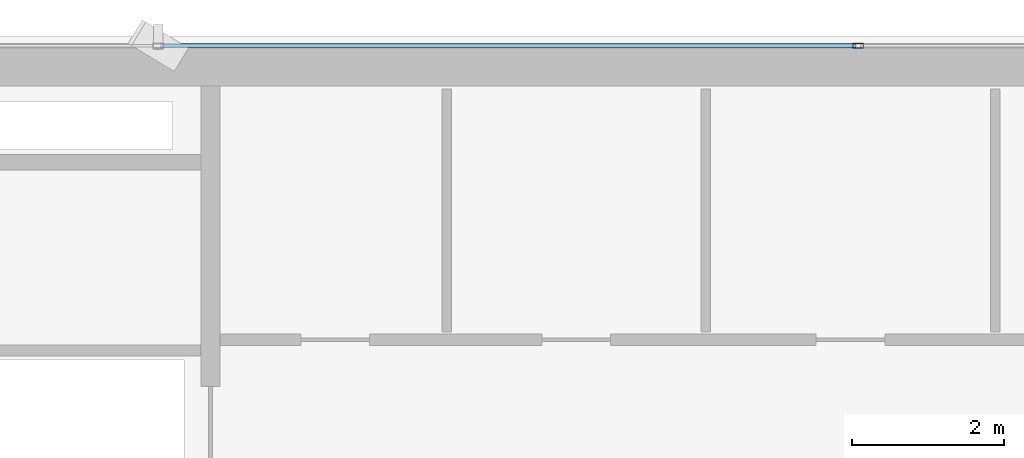
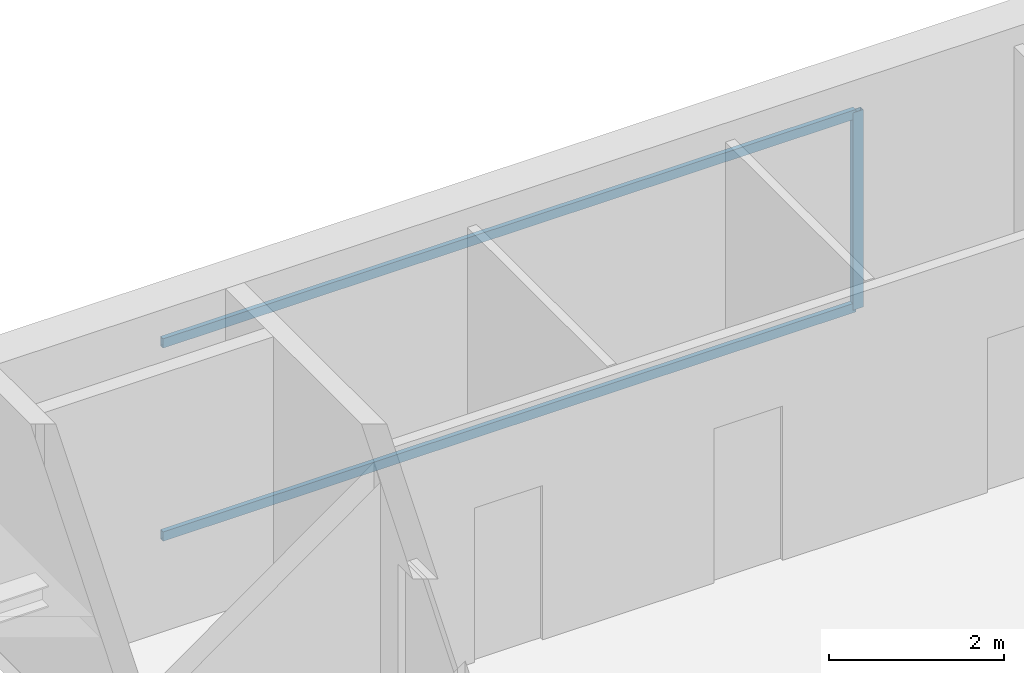
# One storey, part 16 of 26: 3 members, 1 element without a shape of its own.
"""IFC4 building model written with IfcOpenShell, lengths in metres."""

from ifc_helpers import new_model, si_unit, direction, frame, origin, origin_2d, place, context, subcontext, project, spatial, hollow_rectangle, extrude, source, transform, mapped, material, layer, layer_set, material_profile, profile_set, type_object, element, aggregate, save


model = new_model("IFC4")

# Units and contexts
model_context = context("Model", 3, precision=1e-05, world=origin(), true_north=direction((0.0, 1.0)))
body_context = subcontext(model_context, "Body", "Model", "MODEL_VIEW")
ifc_project = project(units=[si_unit("LENGTHUNIT", "METRE"), si_unit("AREAUNIT", "SQUARE_METRE"), si_unit("VOLUMEUNIT", "CUBIC_METRE"), si_unit("PLANEANGLEUNIT", "RADIAN"), si_unit("MASSUNIT", "GRAM", prefix="KILO")], contexts=[model_context])

# Site, building, storey
site_placement = place(None, origin())
site = spatial("IfcSite", under=ifc_project, at=site_placement, CompositionType="ELEMENT")
building_placement = place(site_placement, origin())
building = spatial("IfcBuilding", under=site, at=building_placement, Name="Sumidabori Civic Tower", CompositionType="ELEMENT")
storey_placement = place(building_placement, frame((0.0, 0.0, 236.0)))
storey = spatial("IfcBuildingStorey", under=building, at=storey_placement, Name="L61", CompositionType="ELEMENT", Elevation=236.0)

# Curtain wall, members
ifc_material = material(Name="Anodised Bronze Aluminium AW-6063-T6", Category="aluminium")
ifc_layer = layer(ifc_material, 0.179931640625, Name="Anodised Bronze Aluminium AW-6063-T6")
ifc_layer_set = layer_set([ifc_layer], Name="Anodised Bronze Aluminium AW-6063-T6")
curtain_wall_type = type_object("IfcCurtainWallType", Name="CW-SYS-5", PredefinedType="NOTDEFINED", material=ifc_layer_set)
curtain_wall_placement = place(storey_placement, origin())
curtain_wall = element("IfcCurtainWall", 1, at=curtain_wall_placement, inside=storey, type_object=curtain_wall_type, Name="Curtain Wall CW:L61:R07", PredefinedType="NOTDEFINED")
ifc_material_profile_1 = material_profile(ifc_material, hollow_rectangle(XDim=0.06005859375, YDim=0.1298828125, WallThickness=0.0048828125, at=origin_2d()), Name="ALU TRANSOM 130x60")
ifc_profile_set_1 = profile_set([ifc_material_profile_1], Name="Anodised Bronze Aluminium AW-6063-T6")
member_type_1 = type_object("IfcMemberType", Name="CW-TRN-130", PredefinedType="USERDEFINED", material=ifc_profile_set_1)
shared_shape_1 = source(origin(), body_context, "Body", "SweptSolid", [
    extrude(hollow_rectangle(XDim=0.06005859375, YDim=0.1298828125, WallThickness=0.0048828125, at=origin_2d()), origin(), (0.0, 0.0, 1.0), 9.125),
])
member_1_placement = place(storey_placement, frame((-0.030029296875, 24.080078125, 0.030029296875), z_axis=(-1.0, 0.0, 0.0), x_axis=(0.0, -1.0, 0.0)))
member_1 = element("IfcMember", 2, at=member_1_placement, type_object=member_type_1, Name="CW-5 transom 3.1", ObjectType="TRANSOM", PredefinedType="USERDEFINED", context=body_context, shape_type="MappedRepresentation", body=[
    mapped(shared_shape_1, transform((0.0, 0.0, 0.0), x_axis=(1.0, 0.0, 0.0), y_axis=(0.0, 1.0, 0.0), z_axis=(0.0, 0.0, 1.0), scale=1.0)),
])
member_2_placement = place(storey_placement, frame((-0.030029296875, 24.080078125, 2.719970703125), z_axis=(-1.0, 0.0, 0.0), x_axis=(0.0, -1.0, 0.0)))
member_2 = element("IfcMember", 3, at=member_2_placement, type_object=member_type_1, Name="CW-5 transom 3.2", ObjectType="TRANSOM", PredefinedType="USERDEFINED", context=body_context, shape_type="MappedRepresentation", body=[
    mapped(shared_shape_1, transform((0.0, 0.0, 0.0), x_axis=(1.0, 0.0, 0.0), y_axis=(0.0, 1.0, 0.0), z_axis=(0.0, 0.0, 1.0), scale=1.0)),
])
ifc_material_profile_2 = material_profile(ifc_material, hollow_rectangle(XDim=0.06005859375, YDim=0.139892578125, WallThickness=0.0048828125, at=origin_2d()), Name="ALU MULLION 140x60")
ifc_profile_set_2 = profile_set([ifc_material_profile_2], Name="Anodised Bronze Aluminium AW-6063-T6")
member_type_2 = type_object("IfcMemberType", Name="CW-MUL-140", PredefinedType="MULLION", material=ifc_profile_set_2)
shared_shape_2 = source(origin(), body_context, "Body", "SweptSolid", [
    extrude(hollow_rectangle(XDim=0.06005859375, YDim=0.139892578125, WallThickness=0.0048828125, at=origin_2d()), origin(), (0.0, 0.0, 1.0), 2.75),
])
member_3_placement = place(storey_placement, frame((0.0, 24.080078125, 0.0), z_axis=(0.0, 0.0, 1.0), x_axis=(0.0, -1.0, 0.0)))
member_3 = element("IfcMember", 4, at=member_3_placement, type_object=member_type_2, Name="CW-5 mullion 3", PredefinedType="MULLION", context=body_context, shape_type="MappedRepresentation", body=[
    mapped(shared_shape_2, transform((0.0, 0.0, 0.0), x_axis=(1.0, 0.0, 0.0), y_axis=(0.0, 1.0, 0.0), z_axis=(0.0, 0.0, 1.0), scale=1.0)),
])
aggregate(curtain_wall, [member_3, member_1, member_2])

save(model, "model.ifc")
